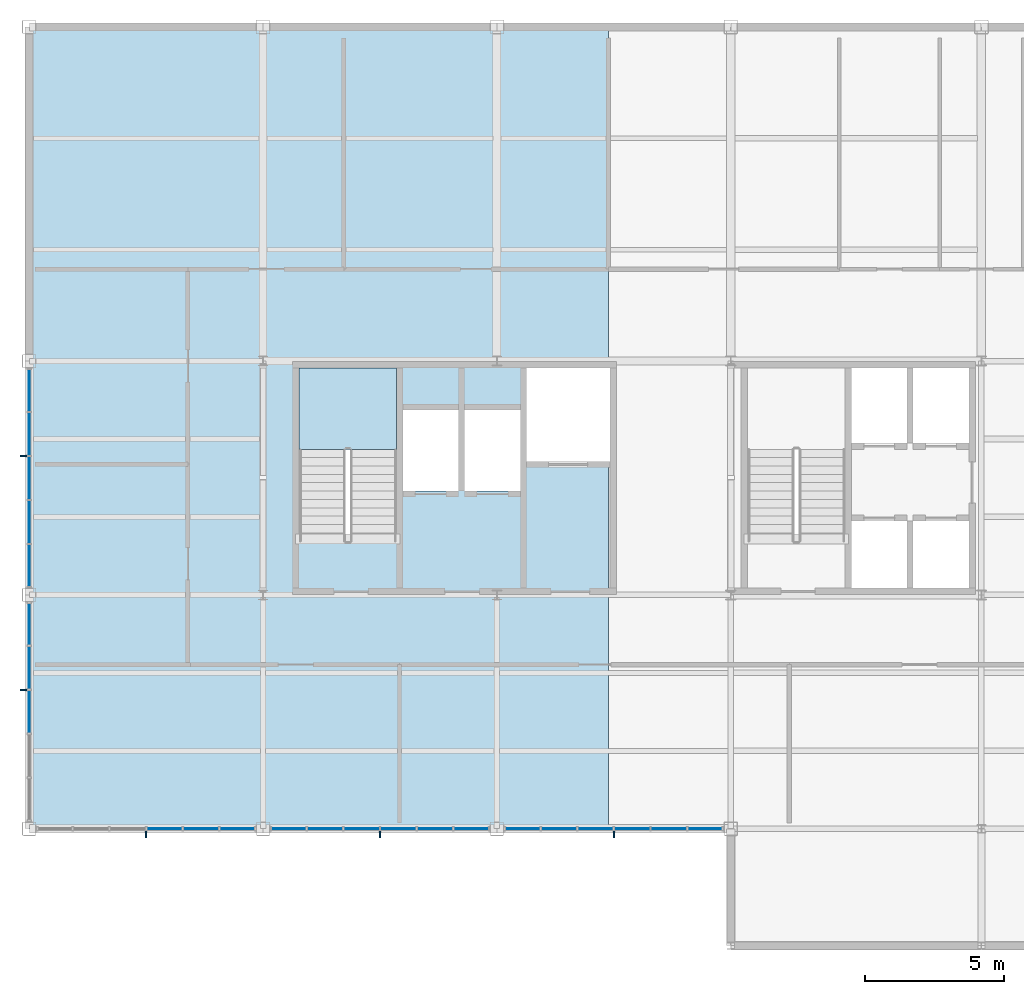
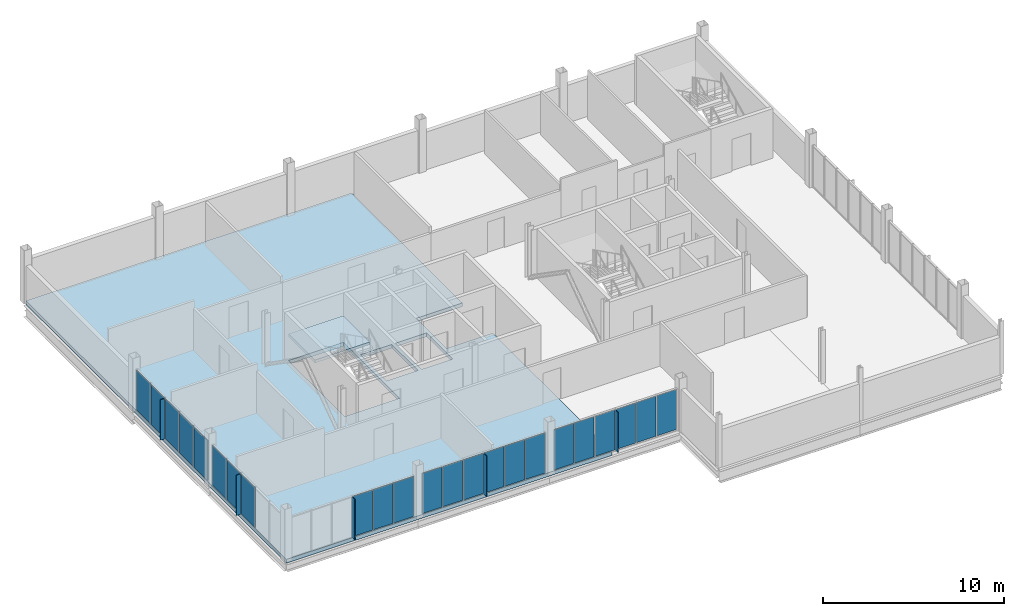
# One storey, part 10 of 16: 28 plates, 2 slabs, 6 elements without a shape of their own.
"""IFC4 building model written with IfcOpenShell, lengths in metres."""

import ifcopenshell
import ifcopenshell.guid

model = None  # the IFC model being written
_history = None  # IfcOwnerHistory: only IFC2X3 demands one
_inside = {}  # id of a spatial element -> (the spatial element, [elements in it])
_under = {}  # id of a project, library or spatial element -> (it, [spatial elements below it])
_declared = {}  # id of a project -> (the project, [libraries it declares])
_typed = {}  # id of a type object -> (the type object, [elements of that type])
_made_of = {}  # id of a material, layer set ... -> (it, [elements and type objects made of it])


def new_model(schema):
    """Start an empty IFC model of exactly this schema.

    Asked for "IFC4X3", IfcOpenShell would pick the latest addendum, in which some entities
    have other attributes; the version numbers below select the first issue.
    IFC2X3 requires an IfcOwnerHistory on every rooted entity: one is made here for all.
    """
    global model, _history
    if schema == "IFC4X3":
        model = ifcopenshell.file(schema_version=(4, 3, 0, 0))
    else:
        model = ifcopenshell.file(schema=schema)
    _inside.clear()
    _under.clear()
    _declared.clear()
    _typed.clear()
    _made_of.clear()
    _history = None
    if model.schema == "IFC2X3":
        org = make("IfcOrganization", Name="unknown")
        user = make(
            "IfcPersonAndOrganization",
            ThePerson=make("IfcPerson", FamilyName="unknown"),
            TheOrganization=org,
        )
        app = make(
            "IfcApplication",
            ApplicationDeveloper=org,
            Version="unknown",
            ApplicationFullName="unknown",
            ApplicationIdentifier="unknown",
        )
        _history = make(
            "IfcOwnerHistory",
            OwningUser=user,
            OwningApplication=app,
            ChangeAction="ADDED",
            CreationDate=0,
        )
    return model


def make(cls, **values):
    """One entity of the class cls with the attributes given. An attribute that is None is left unset."""
    return model.create_entity(
        cls, **{name: value for name, value in values.items() if value is not None}
    )


def rooted(cls, **values):
    """An entity with a GlobalId (a new one), such as an element, a storey or a relation."""
    return make(cls, GlobalId=ifcopenshell.guid.new(), OwnerHistory=_history, **values)


def si_unit(unit_type, name, prefix=None):
    """IfcSIUnit, for example si_unit("LENGTHUNIT", "METRE", prefix="MILLI")."""
    return make("IfcSIUnit", UnitType=unit_type, Prefix=prefix, Name=name)


def assignment(units):
    """IfcUnitAssignment: the units of a project."""
    return None if units is None else make("IfcUnitAssignment", Units=units)


def point(xyz):
    """IfcCartesianPoint."""
    return None if xyz is None else make("IfcCartesianPoint", Coordinates=xyz)


def direction(xyz):
    """IfcDirection."""
    return None if xyz is None else make("IfcDirection", DirectionRatios=xyz)


def frame(location, z_axis=None, x_axis=None):
    """IfcAxis2Placement3D, a coordinate frame: its origin and axes. An axis left out is left unset."""
    return make(
        "IfcAxis2Placement3D",
        Location=point(location),
        Axis=direction(z_axis),
        RefDirection=direction(x_axis),
    )


def frame_2d(location, x_axis=None):
    """IfcAxis2Placement2D, a coordinate frame in the plane: its origin and x axis."""
    return make(
        "IfcAxis2Placement2D", Location=point(location), RefDirection=direction(x_axis)
    )


def origin():
    """The frame at (0, 0, 0) with its axes left unset."""
    return frame((0.0, 0.0, 0.0))


def origin_2d():
    """The frame at (0, 0) in the plane with its x axis left unset."""
    return frame_2d((0.0, 0.0))


def place(relative_to, where):
    """IfcLocalPlacement: puts the frame where relative to a parent placement (None: the world)."""
    return make(
        "IfcLocalPlacement", PlacementRelTo=relative_to, RelativePlacement=where
    )


def context(
    kind, dimensions, precision=None, world=None, true_north=None, identifier=None
):
    """IfcGeometricRepresentationContext, for example the 3D "Model" context."""
    return make(
        "IfcGeometricRepresentationContext",
        ContextIdentifier=identifier,
        ContextType=kind,
        CoordinateSpaceDimension=dimensions,
        Precision=precision,
        WorldCoordinateSystem=world,
        TrueNorth=true_north,
    )


def subcontext(parent, identifier, kind, view, scale=None):
    """IfcGeometricRepresentationSubContext, for example "Body" below "Model"."""
    return make(
        "IfcGeometricRepresentationSubContext",
        ContextIdentifier=identifier,
        ContextType=kind,
        ParentContext=parent,
        TargetScale=scale,
        TargetView=view,
    )


def project(units=None, contexts=None):
    """IfcProject with its units and contexts."""
    return rooted(
        "IfcProject",
        Name="project",
        RepresentationContexts=contexts,
        UnitsInContext=assignment(units),
    )


def spatial(cls, under=None, at=None, **own):
    """A site, building, storey or space (cls), placed at a placement, below another one or the project."""
    s = rooted(cls, ObjectPlacement=at, **own)
    if under is not None:
        _under.setdefault(under.id(), (under, []))[1].append(s)
    return s


def polyline(points):
    """IfcPolyline through the points."""
    return make("IfcPolyline", Points=[point(p) for p in points])


def profile(cls, at=None, kind="AREA", **sizes):
    """A parametric profile (cls). Its sizes go by their IFC names, for example OverallWidth=200.0."""
    return make(cls, ProfileType=kind, Position=at, **sizes)


def rectangle(**sizes):
    """IfcRectangleProfileDef."""
    return profile("IfcRectangleProfileDef", **sizes)


def outline(outer, holes=None, kind="AREA"):
    """IfcArbitraryClosedProfileDef: a profile drawn as a closed curve; with holes, ...WithVoids."""
    if holes is None:
        return make("IfcArbitraryClosedProfileDef", ProfileType=kind, OuterCurve=outer)
    return make(
        "IfcArbitraryProfileDefWithVoids",
        ProfileType=kind,
        OuterCurve=outer,
        InnerCurves=holes,
    )


def extrude(swept, where, along, depth):
    """IfcExtrudedAreaSolid: the profile swept, set in the frame where, extruded along a direction by depth."""
    return make(
        "IfcExtrudedAreaSolid",
        SweptArea=swept,
        Position=where,
        ExtrudedDirection=direction(along),
        Depth=depth,
    )


def shape(context_of_items, identifier, shape_type, items):
    """IfcShapeRepresentation: the items that make up one representation, for example the "Body"."""
    return make(
        "IfcShapeRepresentation",
        ContextOfItems=context_of_items,
        RepresentationIdentifier=identifier,
        RepresentationType=shape_type,
        Items=items,
    )


def material(Name=None, Category=None):
    """IfcMaterial."""
    return make("IfcMaterial", Name=Name, Category=Category)


def layer(
    of_material, thickness, ventilated=None, Name=None, Category=None, Priority=None
):
    """IfcMaterialLayer: one layer of a wall or slab, of a material (None: an air gap)."""
    return make(
        "IfcMaterialLayer",
        Material=of_material,
        LayerThickness=thickness,
        IsVentilated=ventilated,
        Name=Name,
        Category=Category,
        Priority=Priority,
    )


def layer_set(layers, Name=None):
    """IfcMaterialLayerSet."""
    return make("IfcMaterialLayerSet", MaterialLayers=layers, LayerSetName=Name)


def made_of(thing, what):
    """Note that an element or type object is made of a material, layer set ...; save() writes the relation."""
    if what is not None:
        _made_of.setdefault(what.id(), (what, []))[1].append(thing)
    return thing


def type_object(cls, material=None, **own):
    """A type object (cls), such as IfcWallType, which elements share."""
    return made_of(rooted(cls, **own), material)


def element(
    cls,
    number,
    at=None,
    inside=None,
    cuts=None,
    type_object=None,
    material=None,
    context=None,
    identifier="Body",
    shape_type=None,
    held_by="IfcProductDefinitionShape",
    body=None,
    shapes=None,
    **own,
):
    """One element of the class cls, such as IfcWall. Its Tag is "e" and its number.

    at: its placement. inside: the storey or other place that contains it. cuts: it is an
    opening in that element (IfcRelVoidsElement). A single representation is given by context,
    identifier, shape_type and body (its items); several are given by shapes. held_by: the class
    of the entity that holds the representations. save() writes the other relations.
    """
    e = rooted(cls, Tag="e%d" % number, ObjectPlacement=at, **own)
    if body is not None:
        shapes = [shape(context, identifier, shape_type, body)]
    if shapes is not None:
        e.Representation = make(held_by, Representations=shapes)
    if inside is not None:
        _inside.setdefault(inside.id(), (inside, []))[1].append(e)
    if cuts is not None:
        rooted(
            "IfcRelVoidsElement", RelatingBuildingElement=cuts, RelatedOpeningElement=e
        )
    if type_object is not None:
        _typed.setdefault(type_object.id(), (type_object, []))[1].append(e)
    return made_of(e, material)


def aggregate(whole, parts):
    """IfcRelAggregates: a whole, such as a stair, and the parts it consists of."""
    return rooted("IfcRelAggregates", RelatingObject=whole, RelatedObjects=parts)


def save(model, path):
    """Write the relations noted so far, then the file.

    IfcRelAggregates (storeys below a building ...), IfcRelContainedInSpatialStructure (elements
    in a storey), IfcRelDefinesByType, IfcRelAssociatesMaterial and IfcRelDeclares: one each for
    every whole, place, type object, material and project.
    """
    for whole, parts in _under.values():
        aggregate(whole, parts)
    for where, things in _inside.values():
        rooted(
            "IfcRelContainedInSpatialStructure",
            RelatedElements=things,
            RelatingStructure=where,
        )
    for kind, things in _typed.values():
        rooted("IfcRelDefinesByType", RelatedObjects=things, RelatingType=kind)
    for what, things in _made_of.values():
        rooted("IfcRelAssociatesMaterial", RelatedObjects=things, RelatingMaterial=what)
    for by, libraries in _declared.values():
        rooted("IfcRelDeclares", RelatingContext=by, RelatedDefinitions=libraries)
    model.write(path)


model = new_model("IFC4")

# Units and contexts
model_context = context("Model", 3, precision=1e-05, world=origin(), true_north=direction((0.0, 1.0)))
body_context = subcontext(model_context, "Body", "Model", "MODEL_VIEW")
ifc_project = project(units=[si_unit("LENGTHUNIT", "METRE"), si_unit("AREAUNIT", "SQUARE_METRE"), si_unit("VOLUMEUNIT", "CUBIC_METRE"), si_unit("PLANEANGLEUNIT", "RADIAN"), si_unit("MASSUNIT", "GRAM", prefix="KILO")], contexts=[model_context])

# Site, building, storey
site_placement = place(None, origin())
site = spatial("IfcSite", under=ifc_project, at=site_placement, CompositionType="ELEMENT")
building_placement = place(site_placement, origin())
building = spatial("IfcBuilding", under=site, at=building_placement, Name="Yukiwa Park Conservatory and Herbarium", CompositionType="ELEMENT")
storey_placement = place(building_placement, frame((0.0, 0.0, 39.60009765625)))
storey = spatial("IfcBuildingStorey", under=building, at=storey_placement, Name="L10", CompositionType="ELEMENT", Elevation=39.60009765625)

# Curtain wall, plates
ifc_material_1 = material(Name="Triple Low-E Insulated Glass", Category="glass")
ifc_layer_1 = layer(ifc_material_1, 0.260009765625)
ifc_layer_set_1 = layer_set([ifc_layer_1], Name="Triple Low-E Insulated Glass")
curtain_wall_type_1 = type_object("IfcCurtainWallType", Name="CW-TOWER-LAB-W-1500", PredefinedType="NOTDEFINED", material=ifc_layer_set_1)
curtain_wall_1_placement = place(storey_placement, origin())
curtain_wall_1 = element("IfcCurtainWall", 1, at=curtain_wall_1_placement, inside=storey, type_object=curtain_wall_type_1, Name="L10 unitised curtain wall CW-L10-107", PredefinedType="NOTDEFINED")
ifc_material_2 = material(Name="Triple Low-E Insulated Glass", Category="glass")
ifc_layer_2 = layer(ifc_material_2, 0.035888671875)
ifc_layer_set_2 = layer_set([ifc_layer_2], Name="Triple Low-E Insulated Glass")
plate_type_1 = type_object("IfcPlateType", Name="PL-CW-GLZ-36", PredefinedType="CURTAIN_PANEL", material=ifc_layer_set_2)
plate_1_placement = place(storey_placement, frame((124.800048828125, 102.159912109375, 0.06982421875), z_axis=(0.0, 0.0, 1.0), x_axis=(0.0, -1.0, 0.0)))
plate_1 = element("IfcPlate", 2, at=plate_1_placement, type_object=plate_type_1, Name="CW-L10-107 vision panel 1.1", PredefinedType="CURTAIN_PANEL", context=body_context, shape_type="SweptSolid", body=[
    extrude(rectangle(XDim=1.510009765625, YDim=0.035888671875, at=origin_2d()), origin(), (0.0, 0.0, 1.0), 2.701904296875),
])
plate_2_placement = place(storey_placement, frame((124.800048828125, 100.580078125, 0.06982421875), z_axis=(0.0, 0.0, 1.0), x_axis=(0.0, -1.0, 0.0)))
plate_2 = element("IfcPlate", 3, at=plate_2_placement, type_object=plate_type_1, Name="CW-L10-107 vision panel 2.1", PredefinedType="CURTAIN_PANEL", context=body_context, shape_type="SweptSolid", body=[
    extrude(rectangle(XDim=1.510009765625, YDim=0.035888671875, at=origin_2d()), origin(), (0.0, 0.0, 1.0), 2.701904296875),
])
plate_3_placement = place(storey_placement, frame((124.800048828125, 99.0, 0.06982421875), z_axis=(0.0, 0.0, 1.0), x_axis=(0.0, -1.0, 0.0)))
plate_3 = element("IfcPlate", 4, at=plate_3_placement, type_object=plate_type_1, Name="CW-L10-107 vision panel 3.1", PredefinedType="CURTAIN_PANEL", context=body_context, shape_type="SweptSolid", body=[
    extrude(rectangle(XDim=1.510009765625, YDim=0.035888671875, at=origin_2d()), origin(), (0.0, 0.0, 1.0), 2.701904296875),
])
plate_4_placement = place(storey_placement, frame((124.800048828125, 97.419921875, 0.06982421875), z_axis=(0.0, 0.0, 1.0), x_axis=(0.0, -1.0, 0.0)))
plate_4 = element("IfcPlate", 5, at=plate_4_placement, type_object=plate_type_1, Name="CW-L10-107 vision panel 4.1", PredefinedType="CURTAIN_PANEL", context=body_context, shape_type="SweptSolid", body=[
    extrude(rectangle(XDim=1.510009765625, YDim=0.035888671875, at=origin_2d()), origin(), (0.0, 0.0, 1.0), 2.701904296875),
])
plate_5_placement = place(storey_placement, frame((124.800048828125, 95.840087890625, 0.06982421875), z_axis=(0.0, 0.0, 1.0), x_axis=(0.0, -1.0, 0.0)))
plate_5 = element("IfcPlate", 6, at=plate_5_placement, type_object=plate_type_1, Name="CW-L10-107 vision panel 5.1", PredefinedType="CURTAIN_PANEL", context=body_context, shape_type="SweptSolid", body=[
    extrude(rectangle(XDim=1.510009765625, YDim=0.035888671875, at=origin_2d()), origin(), (0.0, 0.0, 1.0), 2.701904296875),
])
aggregate(curtain_wall_1, [plate_1, plate_2, plate_3, plate_4, plate_5])

curtain_wall_2_placement = place(storey_placement, origin())
curtain_wall_2 = element("IfcCurtainWall", 7, at=curtain_wall_2_placement, inside=storey, type_object=curtain_wall_type_1, Name="L10 unitised curtain wall CW-L10-108", PredefinedType="NOTDEFINED")
plate_6_placement = place(storey_placement, frame((124.800048828125, 93.760009765625, 0.06982421875), z_axis=(0.0, 0.0, 1.0), x_axis=(0.0, -1.0, 0.0)))
plate_6 = element("IfcPlate", 8, at=plate_6_placement, type_object=plate_type_1, Name="CW-L10-108 vision panel 1.1", PredefinedType="CURTAIN_PANEL", context=body_context, shape_type="SweptSolid", body=[
    extrude(rectangle(XDim=1.510009765625, YDim=0.035888671875, at=origin_2d()), origin(), (0.0, 0.0, 1.0), 2.701904296875),
])
plate_7_placement = place(storey_placement, frame((124.800048828125, 92.179931640625, 0.06982421875), z_axis=(0.0, 0.0, 1.0), x_axis=(0.0, -1.0, 0.0)))
plate_7 = element("IfcPlate", 9, at=plate_7_placement, type_object=plate_type_1, Name="CW-L10-108 vision panel 2.1", PredefinedType="CURTAIN_PANEL", context=body_context, shape_type="SweptSolid", body=[
    extrude(rectangle(XDim=1.510009765625, YDim=0.035888671875, at=origin_2d()), origin(), (0.0, 0.0, 1.0), 2.701904296875),
])
plate_8_placement = place(storey_placement, frame((124.800048828125, 90.60009765625, 0.06982421875), z_axis=(0.0, 0.0, 1.0), x_axis=(0.0, -1.0, 0.0)))
plate_8 = element("IfcPlate", 10, at=plate_8_placement, type_object=plate_type_1, Name="CW-L10-108 vision panel 3.1", PredefinedType="CURTAIN_PANEL", context=body_context, shape_type="SweptSolid", body=[
    extrude(rectangle(XDim=1.510009765625, YDim=0.035888671875, at=origin_2d()), origin(), (0.0, 0.0, 1.0), 2.701904296875),
])
aggregate(curtain_wall_2, [plate_6, plate_7, plate_8])

ifc_material_3 = material(Name="Triple Low-E Insulated Glass", Category="glass")
ifc_layer_3 = layer(ifc_material_3, 0.248046875)
ifc_layer_set_3 = layer_set([ifc_layer_3], Name="Triple Low-E Insulated Glass")
curtain_wall_type_2 = type_object("IfcCurtainWallType", Name="CW-TOWER-LAB-S-1400", PredefinedType="NOTDEFINED", material=ifc_layer_set_3)
curtain_wall_3_placement = place(storey_placement, origin())
curtain_wall_3 = element("IfcCurtainWall", 11, at=curtain_wall_3_placement, inside=storey, type_object=curtain_wall_type_2, Name="L10 unitised curtain wall CW-L10-109", PredefinedType="NOTDEFINED")
plate_9_placement = place(storey_placement, frame((129.658203125, 86.39990234375, 0.06982421875), z_axis=(0.0, 0.0, 1.0), x_axis=(1.0, 0.0, 0.0)))
plate_9 = element("IfcPlate", 12, at=plate_9_placement, type_object=plate_type_1, Name="CW-L10-109 vision panel 4.1", PredefinedType="CURTAIN_PANEL", context=body_context, shape_type="SweptSolid", body=[
    extrude(rectangle(XDim=1.24658203125, YDim=0.035888671875, at=origin_2d()), origin(), (0.0, 0.0, 1.0), 2.701904296875),
])
plate_10_placement = place(storey_placement, frame((130.97509765625, 86.39990234375, 0.06982421875), z_axis=(0.0, 0.0, 1.0), x_axis=(1.0, 0.0, 0.0)))
plate_10 = element("IfcPlate", 13, at=plate_10_placement, type_object=plate_type_1, Name="CW-L10-109 vision panel 5.1", PredefinedType="CURTAIN_PANEL", context=body_context, shape_type="SweptSolid", body=[
    extrude(rectangle(XDim=1.24658203125, YDim=0.035888671875, at=origin_2d()), origin(), (0.0, 0.0, 1.0), 2.701904296875),
])
plate_11_placement = place(storey_placement, frame((132.291748046875, 86.39990234375, 0.06982421875), z_axis=(0.0, 0.0, 1.0), x_axis=(1.0, 0.0, 0.0)))
plate_11 = element("IfcPlate", 14, at=plate_11_placement, type_object=plate_type_1, Name="CW-L10-109 vision panel 6.1", PredefinedType="CURTAIN_PANEL", context=body_context, shape_type="SweptSolid", body=[
    extrude(rectangle(XDim=1.24658203125, YDim=0.035888671875, at=origin_2d()), origin(), (0.0, 0.0, 1.0), 2.701904296875),
])
aggregate(curtain_wall_3, [plate_9, plate_10, plate_11])

curtain_wall_4_placement = place(storey_placement, origin())
curtain_wall_4 = element("IfcCurtainWall", 15, at=curtain_wall_4_placement, inside=storey, type_object=curtain_wall_type_2, Name="L10 unitised curtain wall CW-L10-110", PredefinedType="NOTDEFINED")
plate_12_placement = place(storey_placement, frame((134.1083984375, 86.39990234375, 0.06982421875), z_axis=(0.0, 0.0, 1.0), x_axis=(1.0, 0.0, 0.0)))
plate_12 = element("IfcPlate", 16, at=plate_12_placement, type_object=plate_type_1, Name="CW-L10-110 vision panel 1.1", PredefinedType="CURTAIN_PANEL", context=body_context, shape_type="SweptSolid", body=[
    extrude(rectangle(XDim=1.24658203125, YDim=0.035888671875, at=origin_2d()), origin(), (0.0, 0.0, 1.0), 2.701904296875),
])
plate_13_placement = place(storey_placement, frame((135.425048828125, 86.39990234375, 0.06982421875), z_axis=(0.0, 0.0, 1.0), x_axis=(1.0, 0.0, 0.0)))
plate_13 = element("IfcPlate", 17, at=plate_13_placement, type_object=plate_type_1, Name="CW-L10-110 vision panel 2.1", PredefinedType="CURTAIN_PANEL", context=body_context, shape_type="SweptSolid", body=[
    extrude(rectangle(XDim=1.24658203125, YDim=0.035888671875, at=origin_2d()), origin(), (0.0, 0.0, 1.0), 2.701904296875),
])
plate_14_placement = place(storey_placement, frame((136.74169921875, 86.39990234375, 0.06982421875), z_axis=(0.0, 0.0, 1.0), x_axis=(1.0, 0.0, 0.0)))
plate_14 = element("IfcPlate", 18, at=plate_14_placement, type_object=plate_type_1, Name="CW-L10-110 vision panel 3.1", PredefinedType="CURTAIN_PANEL", context=body_context, shape_type="SweptSolid", body=[
    extrude(rectangle(XDim=1.24658203125, YDim=0.035888671875, at=origin_2d()), origin(), (0.0, 0.0, 1.0), 2.701904296875),
])
plate_15_placement = place(storey_placement, frame((138.058349609375, 86.39990234375, 0.06982421875), z_axis=(0.0, 0.0, 1.0), x_axis=(1.0, 0.0, 0.0)))
plate_15 = element("IfcPlate", 19, at=plate_15_placement, type_object=plate_type_1, Name="CW-L10-110 vision panel 4.1", PredefinedType="CURTAIN_PANEL", context=body_context, shape_type="SweptSolid", body=[
    extrude(rectangle(XDim=1.24658203125, YDim=0.035888671875, at=origin_2d()), origin(), (0.0, 0.0, 1.0), 2.701904296875),
])
plate_16_placement = place(storey_placement, frame((139.375, 86.39990234375, 0.06982421875), z_axis=(0.0, 0.0, 1.0), x_axis=(1.0, 0.0, 0.0)))
plate_16 = element("IfcPlate", 20, at=plate_16_placement, type_object=plate_type_1, Name="CW-L10-110 vision panel 5.1", PredefinedType="CURTAIN_PANEL", context=body_context, shape_type="SweptSolid", body=[
    extrude(rectangle(XDim=1.24658203125, YDim=0.035888671875, at=origin_2d()), origin(), (0.0, 0.0, 1.0), 2.701904296875),
])
plate_17_placement = place(storey_placement, frame((140.691650390625, 86.39990234375, 0.06982421875), z_axis=(0.0, 0.0, 1.0), x_axis=(1.0, 0.0, 0.0)))
plate_17 = element("IfcPlate", 21, at=plate_17_placement, type_object=plate_type_1, Name="CW-L10-110 vision panel 6.1", PredefinedType="CURTAIN_PANEL", context=body_context, shape_type="SweptSolid", body=[
    extrude(rectangle(XDim=1.24658203125, YDim=0.035888671875, at=origin_2d()), origin(), (0.0, 0.0, 1.0), 2.701904296875),
])
aggregate(curtain_wall_4, [plate_12, plate_13, plate_14, plate_15, plate_16, plate_17])

curtain_wall_5_placement = place(storey_placement, origin())
curtain_wall_5 = element("IfcCurtainWall", 22, at=curtain_wall_5_placement, inside=storey, type_object=curtain_wall_type_2, Name="L10 unitised curtain wall CW-L10-111", PredefinedType="NOTDEFINED")
plate_18_placement = place(storey_placement, frame((142.50830078125, 86.39990234375, 0.06982421875), z_axis=(0.0, 0.0, 1.0), x_axis=(1.0, 0.0, 0.0)))
plate_18 = element("IfcPlate", 23, at=plate_18_placement, type_object=plate_type_1, Name="CW-L10-111 vision panel 1.1", PredefinedType="CURTAIN_PANEL", context=body_context, shape_type="SweptSolid", body=[
    extrude(rectangle(XDim=1.24658203125, YDim=0.035888671875, at=origin_2d()), origin(), (0.0, 0.0, 1.0), 2.701904296875),
])
plate_19_placement = place(storey_placement, frame((143.824951171875, 86.39990234375, 0.06982421875), z_axis=(0.0, 0.0, 1.0), x_axis=(1.0, 0.0, 0.0)))
plate_19 = element("IfcPlate", 24, at=plate_19_placement, type_object=plate_type_1, Name="CW-L10-111 vision panel 2.1", PredefinedType="CURTAIN_PANEL", context=body_context, shape_type="SweptSolid", body=[
    extrude(rectangle(XDim=1.24658203125, YDim=0.035888671875, at=origin_2d()), origin(), (0.0, 0.0, 1.0), 2.701904296875),
])
plate_20_placement = place(storey_placement, frame((145.1416015625, 86.39990234375, 0.06982421875), z_axis=(0.0, 0.0, 1.0), x_axis=(1.0, 0.0, 0.0)))
plate_20 = element("IfcPlate", 25, at=plate_20_placement, type_object=plate_type_1, Name="CW-L10-111 vision panel 3.1", PredefinedType="CURTAIN_PANEL", context=body_context, shape_type="SweptSolid", body=[
    extrude(rectangle(XDim=1.24658203125, YDim=0.035888671875, at=origin_2d()), origin(), (0.0, 0.0, 1.0), 2.701904296875),
])
plate_21_placement = place(storey_placement, frame((146.458251953125, 86.39990234375, 0.06982421875), z_axis=(0.0, 0.0, 1.0), x_axis=(1.0, 0.0, 0.0)))
plate_21 = element("IfcPlate", 26, at=plate_21_placement, type_object=plate_type_1, Name="CW-L10-111 vision panel 4.1", PredefinedType="CURTAIN_PANEL", context=body_context, shape_type="SweptSolid", body=[
    extrude(rectangle(XDim=1.24658203125, YDim=0.035888671875, at=origin_2d()), origin(), (0.0, 0.0, 1.0), 2.701904296875),
])
plate_22_placement = place(storey_placement, frame((147.77490234375, 86.39990234375, 0.06982421875), z_axis=(0.0, 0.0, 1.0), x_axis=(1.0, 0.0, 0.0)))
plate_22 = element("IfcPlate", 27, at=plate_22_placement, type_object=plate_type_1, Name="CW-L10-111 vision panel 5.1", PredefinedType="CURTAIN_PANEL", context=body_context, shape_type="SweptSolid", body=[
    extrude(rectangle(XDim=1.24658203125, YDim=0.035888671875, at=origin_2d()), origin(), (0.0, 0.0, 1.0), 2.701904296875),
])
plate_23_placement = place(storey_placement, frame((149.091796875, 86.39990234375, 0.06982421875), z_axis=(0.0, 0.0, 1.0), x_axis=(1.0, 0.0, 0.0)))
plate_23 = element("IfcPlate", 28, at=plate_23_placement, type_object=plate_type_1, Name="CW-L10-111 vision panel 6.1", PredefinedType="CURTAIN_PANEL", context=body_context, shape_type="SweptSolid", body=[
    extrude(rectangle(XDim=1.24658203125, YDim=0.035888671875, at=origin_2d()), origin(), (0.0, 0.0, 1.0), 2.701904296875),
])
aggregate(curtain_wall_5, [plate_18, plate_19, plate_20, plate_21, plate_22, plate_23])

# Plates
ifc_material_4 = material(Name="Anodised Aluminium", Category="aluminium")
ifc_layer_4 = layer(ifc_material_4, 0.050048828125)
ifc_layer_set_4 = layer_set([ifc_layer_4], Name="Anodised Aluminium")
plate_type_2 = type_object("IfcPlateType", Name="PL-FIN-ALU-50", PredefinedType="USERDEFINED", material=ifc_layer_set_4)
for number, where, z_axis, x_axis, name in (
    (29, (124.610107421875, 99.7900390625, 0.06005859375), (0.0, 0.0, 1.0), (0.0, -1.0, 0.0), "CW-L10-107 exterior vertical shading fin"),
    (30, (124.610107421875, 91.389892578125, 0.06005859375), (0.0, 0.0, 1.0), (0.0, -1.0, 0.0), "CW-L10-108 exterior vertical shading fin"),
    (31, (129.0, 86.2099609375, 0.06005859375), (0.0, 0.0, 1.0), (1.0, 0.0, 0.0), "CW-L10-109 exterior vertical shading fin"),
    (32, (137.39990234375, 86.2099609375, 0.06005859375), (0.0, 0.0, 1.0), (1.0, 0.0, 0.0), "CW-L10-110 exterior vertical shading fin"),
    (33, (145.800048828125, 86.2099609375, 0.06005859375), (0.0, 0.0, 1.0), (1.0, 0.0, 0.0), "CW-L10-111 exterior vertical shading fin"),
):
    element("IfcPlate", number, at=place(storey_placement, frame(where, z_axis=z_axis, x_axis=x_axis)), inside=storey, type_object=plate_type_2, Name=name, ObjectType="SHADING FIN", PredefinedType="USERDEFINED", context=body_context, shape_type="SweptSolid", body=[
        extrude(rectangle(XDim=0.050048828125, YDim=0.280029296875, at=origin_2d()), origin(), (0.0, 0.0, 1.0), 2.721923828125),
    ])

# Slab
ifc_material_5 = material(Name="Concrete C40", Category="concrete")
ifc_layer_5 = layer(ifc_material_5, 0.251953125)
ifc_layer_set_5 = layer_set([ifc_layer_5], Name="Concrete C40")
slab_type_1 = type_object("IfcSlabType", Name="SL-FLR-252", PredefinedType="FLOOR", material=ifc_layer_set_5)
slab_1_placement = place(storey_placement, frame((0.0, 0.0, -0.252197265625)))
element("IfcSlab", 34, at=slab_1_placement, inside=storey, type_object=slab_type_1, Name="L10 composite structural floor slab V5W", PredefinedType="FLOOR", context=body_context, shape_type="SweptSolid", body=[
    extrude(outline(polyline([(124.800048828125, 115.199951171875), (145.60009765625, 115.199951171875), (145.60009765625, 102.949951171875), (142.659912109375, 102.949951171875), (142.659912109375, 99.60009765625), (145.60009765625, 99.60009765625), (145.60009765625, 86.39990234375), (124.800048828125, 86.39990234375), (124.800048828125, 115.199951171875)]), holes=[polyline([(134.489990234375, 102.949951171875), (134.489990234375, 96.72998046875), (138.0, 96.72998046875), (138.0, 102.949951171875), (134.489990234375, 102.949951171875)]), polyline([(140.219970703125, 101.43994140625), (138.219970703125, 101.43994140625), (138.219970703125, 98.5400390625), (140.219970703125, 98.5400390625), (140.219970703125, 101.43994140625)]), polyline([(140.43994140625, 101.43994140625), (140.43994140625, 98.5400390625), (142.43994140625, 98.5400390625), (142.43994140625, 101.43994140625), (140.43994140625, 101.43994140625)])]), origin(), (0.0, 0.0, 1.0), 0.252197265625),
])

# Stair, slab
ifc_material_6 = material(Name="Concrete C40", Category="concrete")
stair_type = type_object("IfcStairType", Name="ST-DOGLEG-ST-T1", PredefinedType="HALF_TURN_STAIR", material=ifc_material_6)
stair_placement = place(storey_placement, origin())
stair = element("IfcStair", 35, at=stair_placement, inside=storey, type_object=stair_type, Name="L10 Protected Smoke-Proof Stair ST-T1", PredefinedType="HALF_TURN_STAIR")
ifc_material_7 = material(Name="Concrete C40", Category="concrete")
ifc_layer_6 = layer(ifc_material_7, 0.199951171875)
ifc_layer_set_6 = layer_set([ifc_layer_6], Name="Concrete C40")
slab_type_2 = type_object("IfcSlabType", Name="SL-LANDING-220", PredefinedType="LANDING", material=ifc_layer_set_6)
slab_2_placement = place(storey_placement, frame((0.0, 0.0, 1.599853515625)))
slab_2 = element("IfcSlab", 36, at=slab_2_placement, type_object=slab_type_2, Name="ST-T1 landing 1", PredefinedType="LANDING", context=body_context, shape_type="SweptSolid", body=[
    extrude(outline(polyline([(138.0, 100.030029296875), (138.0, 102.949951171875), (134.489990234375, 102.949951171875), (134.489990234375, 100.030029296875), (138.0, 100.030029296875)])), origin(), (0.0, 0.0, 1.0), 0.199951171875),
])
aggregate(stair, [slab_2])

save(model, "model.ifc")
